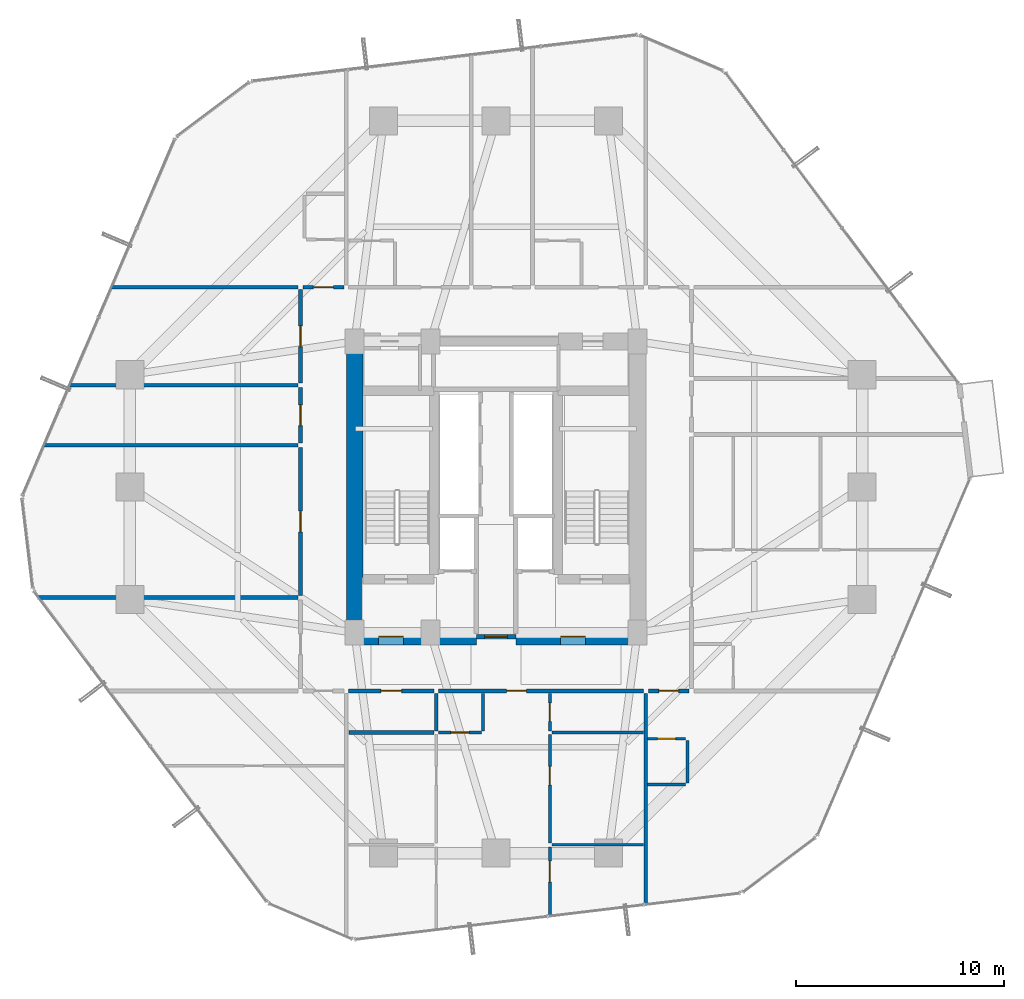
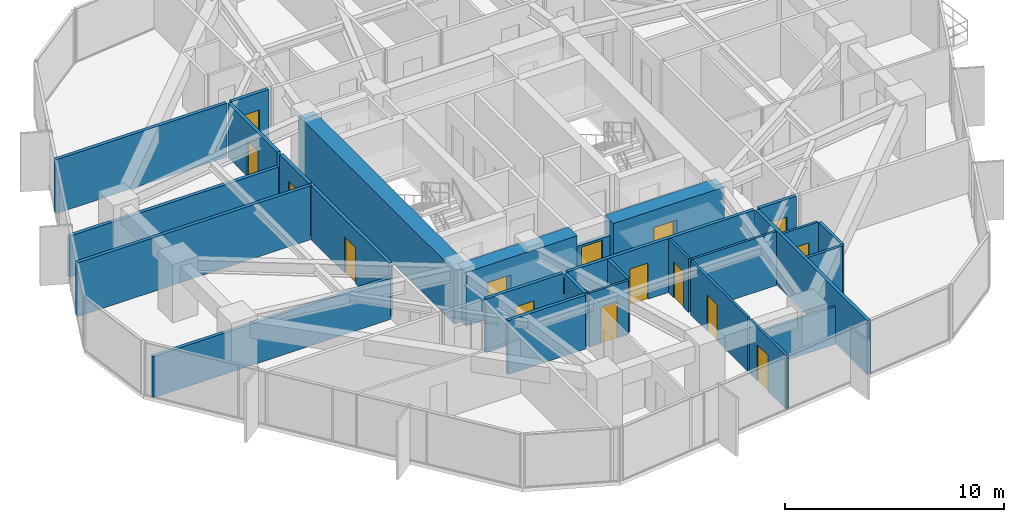
# One storey, part 33 of 37: 28 walls, 15 doors, 15 openings.
"""IFC4 building model written with IfcOpenShell, lengths in metres."""

from ifc_helpers import new_model, si_unit, direction, frame, frame_2d, origin, place, context, subcontext, project, spatial, rectangle, extrude, source, transform, mapped, material, layer, layer_set, type_object, element, fill, save


model = new_model("IFC4")

# Units and contexts
model_context = context("Model", 3, precision=1e-05, world=origin(), true_north=direction((0.0, 1.0)))
body_context = subcontext(model_context, "Body", "Model", "MODEL_VIEW")
ifc_project = project(units=[si_unit("LENGTHUNIT", "METRE"), si_unit("AREAUNIT", "SQUARE_METRE"), si_unit("VOLUMEUNIT", "CUBIC_METRE"), si_unit("PLANEANGLEUNIT", "RADIAN"), si_unit("MASSUNIT", "GRAM", prefix="KILO")], contexts=[model_context])

# Site, building, storey
site_placement = place(None, origin())
site = spatial("IfcSite", under=ifc_project, at=site_placement, CompositionType="ELEMENT")
building_placement = place(site_placement, origin())
building = spatial("IfcBuilding", under=site, at=building_placement, Name="Veraguas Prism Commons", CompositionType="ELEMENT")
storey_placement = place(building_placement, frame((0.0, 0.0, 46.800048828125)))
storey = spatial("IfcBuildingStorey", under=building, at=storey_placement, Name="L12", CompositionType="ELEMENT", Elevation=46.800048828125)

# Wall
ifc_material_1 = material(Name="Concrete C60/75", Category="concrete")
ifc_layer_1 = layer(ifc_material_1, 0.800048828125, Name="Core Outer Shear Wall Lower RC 800", Category="concrete")
ifc_layer_set_1 = layer_set([ifc_layer_1], Name="Concrete C60/75")
wall_type_1 = type_object("IfcWallType", Name="Core Outer Shear Wall Lower RC 800", PredefinedType="SHEAR", material=ifc_layer_set_1)
wall_1_placement = place(storey_placement, frame((17.199951171875, 16.800048828125, 0.0), z_axis=(0.0, 0.0, 1.0), x_axis=(0.0, 1.0, 0.0)))
element("IfcWall", 1, at=wall_1_placement, inside=storey, type_object=wall_type_1, Name="Central Core West Shear Wall L12", PredefinedType="SHEAR", context=body_context, shape_type="SweptSolid", body=[
    extrude(rectangle(XDim=14.199951171875, YDim=0.800048828125, at=frame_2d((7.10009765625, 0.0))), origin(), (0.0, 0.0, 1.0), 3.0),
])

# Wall, opening, door
wall_2_placement = place(storey_placement, frame((17.199951171875, 16.800048828125, 0.0), z_axis=(0.0, 0.0, 1.0), x_axis=(1.0, 0.0, 0.0)))
wall_2 = element("IfcWall", 2, at=wall_2_placement, inside=storey, type_object=wall_type_1, Name="Central Core South-West Shear Wall L12", PredefinedType="SHEAR", context=body_context, shape_type="SweptSolid", body=[
    extrude(rectangle(XDim=5.85009765625, YDim=0.800048828125, at=frame_2d((2.925048828125, 0.0))), origin(), (0.0, 0.0, 1.0), 3.0),
])
opening_1_placement = place(wall_2_placement, frame((1.14990234375, 0.0, 0.0)))
opening_1 = element("IfcOpeningElement", 3, at=opening_1_placement, cuts=wall_2, Name="Opening DR-06", PredefinedType="OPENING", context=body_context, shape_type="SweptSolid", body=[
    extrude(rectangle(XDim=1.199951171875, YDim=2.030029296875, at=frame_2d((0.60009765625, 1.01513671875))), frame((0.0, 0.409912109375, 0.0), z_axis=(0.0, -1.0, 0.0), x_axis=(1.0, 0.0, 0.0)), (0.0, 0.0, 1.0), 0.820068359375),
])
ifc_material_2 = material(Name="Steel fire-rated door assembly", Category="steel")
door_type_1 = type_object("IfcDoorType", Name="Firefighting Lobby Smoke Door 1200x2030", OperationType="NOTDEFINED", PredefinedType="DOOR", material=ifc_material_2)
shared_shape_1 = source(origin(), body_context, "Body", "SweptSolid", [
    extrude(rectangle(XDim=1.199951171875, YDim=2.030029296875, at=frame_2d((0.60009765625, 1.01513671875))), frame((0.0, 0.02490234375, 0.0), z_axis=(0.0, -1.0, 0.0), x_axis=(1.0, 0.0, 0.0)), (0.0, 0.0, 1.0), 0.050048828125),
])
door_1_placement = place(opening_1_placement, origin())
door_1 = element("IfcDoor", 4, at=door_1_placement, inside=storey, type_object=door_type_1, Name="West FF Lobby Door L12", OperationType="SINGLE_SWING_LEFT", OverallHeight=2.030029296875, OverallWidth=1.199951171875, PredefinedType="DOOR", context=body_context, shape_type="MappedRepresentation", body=[
    mapped(shared_shape_1, transform((0.0, 0.0, 0.0), scale=1.0)),
])
fill(opening_1, door_1)

wall_3_placement = place(storey_placement, frame((24.949951171875, 16.800048828125, 0.0), z_axis=(0.0, 0.0, 1.0), x_axis=(1.0, 0.0, 0.0)))
wall_3 = element("IfcWall", 5, at=wall_3_placement, inside=storey, type_object=wall_type_1, Name="Central Core South-East Shear Wall L12", PredefinedType="SHEAR", context=body_context, shape_type="SweptSolid", body=[
    extrude(rectangle(XDim=5.85009765625, YDim=0.800048828125, at=frame_2d((2.925048828125, 0.0))), origin(), (0.0, 0.0, 1.0), 3.0),
])
opening_2_placement = place(wall_3_placement, frame((2.14990234375, 0.0, 0.0)))
opening_2 = element("IfcOpeningElement", 6, at=opening_2_placement, cuts=wall_3, Name="Opening DR-06", PredefinedType="OPENING", context=body_context, shape_type="SweptSolid", body=[
    extrude(rectangle(XDim=1.199951171875, YDim=2.030029296875, at=frame_2d((0.60009765625, 1.01513671875))), frame((0.0, 0.409912109375, 0.0), z_axis=(0.0, -1.0, 0.0), x_axis=(1.0, 0.0, 0.0)), (0.0, 0.0, 1.0), 0.820068359375),
])
door_2_placement = place(opening_2_placement, origin())
door_2 = element("IfcDoor", 7, at=door_2_placement, inside=storey, type_object=door_type_1, Name="East FF Lobby Door L12", OperationType="SINGLE_SWING_LEFT", OverallHeight=2.030029296875, OverallWidth=1.199951171875, PredefinedType="DOOR", context=body_context, shape_type="MappedRepresentation", body=[
    mapped(shared_shape_1, transform((0.0, 0.0, 0.0), scale=1.0)),
])
fill(opening_2, door_2)

# Wall
ifc_material_3 = material(Name="Autoclaved aerated masonry block 10 MPa", Category="masonry")
ifc_layer_2 = layer(ifc_material_3, 0.179931640625, Name="Corridor and Inter-Tenancy Partition 180", Category="masonry")
ifc_layer_set_2 = layer_set([ifc_layer_2], Name="Autoclaved aerated masonry block 10 MPa")
wall_type_2 = type_object("IfcWallType", Name="Corridor and Inter-Tenancy Partition 180", PredefinedType="PARTITIONING", material=ifc_layer_set_2)
wall_4_placement = place(storey_placement, frame((31.199951171875, 14.080078125, 0.0), z_axis=(0.0, 0.0, 1.0), x_axis=(0.0, -1.0, 0.0)))
element("IfcWall", 8, at=wall_4_placement, inside=storey, type_object=wall_type_2, Name="WL-L12-PT002", PredefinedType="PARTITIONING", context=body_context, shape_type="SweptSolid", body=[
    extrude(rectangle(XDim=10.178466796875, YDim=0.179931640625, at=frame_2d((5.08935546875, 0.0))), origin(), (0.0, 0.0, 1.0), 3.0),
])

# Wall, opening, door
wall_5_placement = place(storey_placement, frame((16.909912109375, 14.199951171875, 0.0), z_axis=(0.0, 0.0, 1.0), x_axis=(1.0, 0.0, 0.0)))
wall_5 = element("IfcWall", 9, at=wall_5_placement, inside=storey, type_object=wall_type_2, Name="WL-L12-PT003", PredefinedType="PARTITIONING", context=body_context, shape_type="SweptSolid", body=[
    extrude(rectangle(XDim=4.10009765625, YDim=0.179931640625, at=frame_2d((2.050048828125, 0.0))), origin(), (0.0, 0.0, 1.0), 3.0),
])
opening_3_placement = place(wall_5_placement, frame((1.550048828125, 0.0, 0.0)))
opening_3 = element("IfcOpeningElement", 10, at=opening_3_placement, cuts=wall_5, Name="Opening DR-13", PredefinedType="OPENING", context=body_context, shape_type="SweptSolid", body=[
    extrude(rectangle(XDim=1.0, YDim=2.010009765625, at=frame_2d((0.5, 1.0048828125))), frame((0.0, 0.099853515625, 0.0), z_axis=(0.0, -1.0, 0.0), x_axis=(1.0, 0.0, 0.0)), (0.0, 0.0, 1.0), 0.199951171875),
])
door_type_2 = type_object("IfcDoorType", Name="Core Accessible WC and Clinic Fire Door 1000x2010", OperationType="NOTDEFINED", PredefinedType="DOOR", material=ifc_material_2)
shared_shape_2 = source(origin(), body_context, "Body", "SweptSolid", [
    extrude(rectangle(XDim=1.0, YDim=2.010009765625, at=frame_2d((0.5, 1.0048828125))), frame((0.0, 0.02490234375, 0.0), z_axis=(0.0, -1.0, 0.0), x_axis=(1.0, 0.0, 0.0)), (0.0, 0.0, 1.0), 0.050048828125),
])
door_3_placement = place(opening_3_placement, origin())
door_3 = element("IfcDoor", 11, at=door_3_placement, inside=storey, type_object=door_type_2, Name="Residents Study Alcove 12A Door", OperationType="SINGLE_SWING_RIGHT", OverallHeight=2.010009765625, OverallWidth=1.0, PredefinedType="DOOR", context=body_context, shape_type="MappedRepresentation", body=[
    mapped(shared_shape_2, transform((0.0, 0.0, 0.0), scale=1.0)),
])
fill(opening_3, door_3)

wall_6_placement = place(storey_placement, frame((21.22998046875, 14.199951171875, 0.0), z_axis=(0.0, 0.0, 1.0), x_axis=(1.0, 0.0, 0.0)))
wall_6 = element("IfcWall", 12, at=wall_6_placement, inside=storey, type_object=wall_type_2, Name="WL-L12-PT004", PredefinedType="PARTITIONING", context=body_context, shape_type="SweptSolid", body=[
    extrude(rectangle(XDim=9.860107421875, YDim=0.179931640625, at=frame_2d((4.93017578125, 0.0))), origin(), (0.0, 0.0, 1.0), 3.0),
])
opening_4_placement = place(wall_6_placement, frame((3.27587890625, 0.0, 0.0)))
opening_4 = element("IfcOpeningElement", 13, at=opening_4_placement, cuts=wall_6, Name="Opening DR-01", PredefinedType="OPENING", context=body_context, shape_type="SweptSolid", body=[
    extrude(rectangle(XDim=0.949951171875, YDim=2.02001953125, at=frame_2d((0.47509765625, 1.010009765625))), frame((0.0, 0.099853515625, 0.0), z_axis=(0.0, -1.0, 0.0), x_axis=(1.0, 0.0, 0.0)), (0.0, 0.0, 1.0), 0.199951171875),
])
ifc_material_4 = material(Name="Anodised aluminium EN AW-6063 T6", Category="aluminium")
door_type_3 = type_object("IfcDoorType", Name="Apartment Entrance Fire Door 950x2020", OperationType="NOTDEFINED", PredefinedType="DOOR", material=ifc_material_4)
shared_shape_3 = source(origin(), body_context, "Body", "SweptSolid", [
    extrude(rectangle(XDim=0.949951171875, YDim=2.02001953125, at=frame_2d((0.47509765625, 1.010009765625))), frame((0.0, 0.02490234375, 0.0), z_axis=(0.0, -1.0, 0.0), x_axis=(1.0, 0.0, 0.0)), (0.0, 0.0, 1.0), 0.050048828125),
])
door_4_placement = place(opening_4_placement, origin())
door_4 = element("IfcDoor", 14, at=door_4_placement, inside=storey, type_object=door_type_3, Name="Flat 12A Entrance Door", OperationType="SINGLE_SWING_LEFT", OverallHeight=2.02001953125, OverallWidth=0.949951171875, PredefinedType="DOOR", context=body_context, shape_type="MappedRepresentation", body=[
    mapped(shared_shape_3, transform((0.0, 0.0, 0.0), scale=1.0)),
])
fill(opening_4, door_4)

# Walls
wall_7_placement = place(storey_placement, frame((16.919921875, 12.199951171875, 0.0), z_axis=(0.0, 0.0, 1.0), x_axis=(1.0, 0.0, 0.0)))
element("IfcWall", 15, at=wall_7_placement, inside=storey, type_object=wall_type_2, Name="WL-L12-PT009", PredefinedType="PARTITIONING", context=body_context, shape_type="SweptSolid", body=[
    extrude(rectangle(XDim=4.10009765625, YDim=0.179931640625, at=frame_2d((2.050048828125, 0.0))), origin(), (0.0, 0.0, 1.0), 3.0),
])
wall_8_placement = place(storey_placement, frame((21.1201171875, 14.080078125, 0.0), z_axis=(0.0, 0.0, 1.0), x_axis=(0.0, -1.0, 0.0)))
element("IfcWall", 16, at=wall_8_placement, inside=storey, type_object=wall_type_2, Name="WL-L12-PT010", PredefinedType="PARTITIONING", context=body_context, shape_type="SweptSolid", body=[
    extrude(rectangle(XDim=1.800048828125, YDim=0.179931640625, at=frame_2d((0.89990234375, 0.0))), origin(), (0.0, 0.0, 1.0), 3.0),
])
wall_9_placement = place(storey_placement, frame((14.47998046875, 33.60009765625, 0.0), z_axis=(0.0, 0.0, 1.0), x_axis=(-1.0, 0.0, 0.0)))
element("IfcWall", 17, at=wall_9_placement, inside=storey, type_object=wall_type_2, Name="WL-L12-PT029", PredefinedType="PARTITIONING", context=body_context, shape_type="SweptSolid", body=[
    extrude(rectangle(XDim=9.01318359375, YDim=0.179931640625, at=frame_2d((4.506591796875, 0.0))), origin(), (0.0, 0.0, 1.0), 3.0),
])

# Wall, opening, door
wall_10_placement = place(storey_placement, frame((14.60009765625, 18.797119140625, 0.0), z_axis=(0.0, 0.0, 1.0), x_axis=(0.0, 1.0, 0.0)))
wall_10 = element("IfcWall", 18, at=wall_10_placement, inside=storey, type_object=wall_type_2, Name="WL-L12-PT031", PredefinedType="PARTITIONING", context=body_context, shape_type="SweptSolid", body=[
    extrude(rectangle(XDim=7.100830078125, YDim=0.179931640625, at=frame_2d((3.55029296875, 0.0))), origin(), (0.0, 0.0, 1.0), 3.0),
])
opening_5_placement = place(wall_10_placement, frame((3.050537109375, 0.0, 0.0)))
opening_5 = element("IfcOpeningElement", 19, at=opening_5_placement, cuts=wall_10, Name="Opening DR-13", PredefinedType="OPENING", context=body_context, shape_type="SweptSolid", body=[
    extrude(rectangle(XDim=1.0, YDim=2.010009765625, at=frame_2d((0.5, 1.0048828125))), frame((0.0, 0.099853515625, 0.0), z_axis=(0.0, -1.0, 0.0), x_axis=(1.0, 0.0, 0.0)), (0.0, 0.0, 1.0), 0.199951171875),
])
door_5_placement = place(opening_5_placement, origin())
door_5 = element("IfcDoor", 20, at=door_5_placement, inside=storey, type_object=door_type_2, Name="Co-op Store W Door", OperationType="SINGLE_SWING_RIGHT", OverallHeight=2.010009765625, OverallWidth=1.0, PredefinedType="DOOR", context=body_context, shape_type="MappedRepresentation", body=[
    mapped(shared_shape_2, transform((0.0, 0.0, 0.0), scale=1.0)),
])
fill(opening_5, door_5)

# Walls
wall_11_placement = place(storey_placement, frame((14.47998046875, 18.68701171875, 0.0), z_axis=(0.0, 0.0, 1.0), x_axis=(-1.0, 0.0, 0.0)))
element("IfcWall", 21, at=wall_11_placement, inside=storey, type_object=wall_type_2, Name="WL-L12-PT032", PredefinedType="PARTITIONING", context=body_context, shape_type="SweptSolid", body=[
    extrude(rectangle(XDim=12.511474609375, YDim=0.179931640625, at=frame_2d((6.255859375, 0.0))), origin(), (0.0, 0.0, 1.0), 2.299072265625),
])
wall_12_placement = place(storey_placement, frame((14.47998046875, 26.008056640625, 0.0), z_axis=(0.0, 0.0, 1.0), x_axis=(-1.0, 0.0, 0.0)))
element("IfcWall", 22, at=wall_12_placement, inside=storey, type_object=wall_type_2, Name="WL-L12-PT033", PredefinedType="PARTITIONING", context=body_context, shape_type="SweptSolid", body=[
    extrude(rectangle(XDim=12.257568359375, YDim=0.179931640625, at=frame_2d((6.12890625, 0.0))), origin(), (0.0, 0.0, 1.0), 3.0),
])

# Wall, opening, door
wall_13_placement = place(storey_placement, frame((14.60009765625, 26.117919921875, 0.0), z_axis=(0.0, 0.0, 1.0), x_axis=(0.0, 1.0, 0.0)))
wall_13 = element("IfcWall", 23, at=wall_13_placement, inside=storey, type_object=wall_type_2, Name="WL-L12-PT034", PredefinedType="PARTITIONING", context=body_context, shape_type="SweptSolid", body=[
    extrude(rectangle(XDim=2.6650390625, YDim=0.179931640625, at=frame_2d((1.33251953125, 0.0))), origin(), (0.0, 0.0, 1.0), 3.0),
])
opening_6_placement = place(wall_13_placement, frame((0.83251953125, 0.0, 0.0)))
opening_6 = element("IfcOpeningElement", 24, at=opening_6_placement, cuts=wall_13, Name="Opening DR-13", PredefinedType="OPENING", context=body_context, shape_type="SweptSolid", body=[
    extrude(rectangle(XDim=1.0, YDim=2.010009765625, at=frame_2d((0.5, 1.0048828125))), frame((0.0, 0.099853515625, 0.0), z_axis=(0.0, -1.0, 0.0), x_axis=(1.0, 0.0, 0.0)), (0.0, 0.0, 1.0), 0.199951171875),
])
door_6_placement = place(opening_6_placement, origin())
door_6 = element("IfcDoor", 25, at=door_6_placement, inside=storey, type_object=door_type_2, Name="Shared Laundry Room Door", OperationType="SINGLE_SWING_LEFT", OverallHeight=2.010009765625, OverallWidth=1.0, PredefinedType="DOOR", context=body_context, shape_type="MappedRepresentation", body=[
    mapped(shared_shape_2, transform((0.0, 0.0, 0.0), scale=1.0)),
])
fill(opening_6, door_6)

wall_14_placement = place(storey_placement, frame((14.60009765625, 29.0029296875, 0.0), z_axis=(0.0, 0.0, 1.0), x_axis=(0.0, 1.0, 0.0)))
wall_14 = element("IfcWall", 26, at=wall_14_placement, inside=storey, type_object=wall_type_2, Name="WL-L12-PT035", PredefinedType="PARTITIONING", context=body_context, shape_type="SweptSolid", body=[
    extrude(rectangle(XDim=4.487060546875, YDim=0.179931640625, at=frame_2d((2.24365234375, 0.0))), origin(), (0.0, 0.0, 1.0), 3.0),
])
opening_7_placement = place(wall_14_placement, frame((1.743408203125, 0.0, 0.0)))
opening_7 = element("IfcOpeningElement", 27, at=opening_7_placement, cuts=wall_14, Name="Opening DR-13", PredefinedType="OPENING", context=body_context, shape_type="SweptSolid", body=[
    extrude(rectangle(XDim=1.0, YDim=2.010009765625, at=frame_2d((0.5, 1.0048828125))), frame((0.0, 0.099853515625, 0.0), z_axis=(0.0, -1.0, 0.0), x_axis=(1.0, 0.0, 0.0)), (0.0, 0.0, 1.0), 0.199951171875),
])
door_7_placement = place(opening_7_placement, origin())
door_7 = element("IfcDoor", 28, at=door_7_placement, inside=storey, type_object=door_type_2, Name="Co-op Store W Door", OperationType="SINGLE_SWING_RIGHT", OverallHeight=2.010009765625, OverallWidth=1.0, PredefinedType="DOOR", context=body_context, shape_type="MappedRepresentation", body=[
    mapped(shared_shape_2, transform((0.0, 0.0, 0.0), scale=1.0)),
])
fill(opening_7, door_7)

# Wall
wall_15_placement = place(storey_placement, frame((14.47998046875, 28.89306640625, 0.0), z_axis=(0.0, 0.0, 1.0), x_axis=(-1.0, 0.0, 0.0)))
element("IfcWall", 29, at=wall_15_placement, inside=storey, type_object=wall_type_2, Name="WL-L12-PT036", PredefinedType="PARTITIONING", context=body_context, shape_type="SweptSolid", body=[
    extrude(rectangle(XDim=11.024658203125, YDim=0.179931640625, at=frame_2d((5.51220703125, 0.0))), origin(), (0.0, 0.0, 1.0), 2.299072265625),
])

# Wall, opening, door
wall_16_placement = place(storey_placement, frame((31.320068359375, 14.199951171875, 0.0), z_axis=(0.0, 0.0, 1.0), x_axis=(1.0, 0.0, 0.0)))
wall_16 = element("IfcWall", 30, at=wall_16_placement, inside=storey, type_object=wall_type_2, Name="WL-L12-PT053", PredefinedType="PARTITIONING", context=body_context, shape_type="SweptSolid", body=[
    extrude(rectangle(XDim=1.9599609375, YDim=0.179931640625, at=frame_2d((0.97998046875, 0.0))), origin(), (0.0, 0.0, 1.0), 3.0),
])
opening_8_placement = place(wall_16_placement, frame((0.5048828125, 0.0, 0.0)))
opening_8 = element("IfcOpeningElement", 31, at=opening_8_placement, cuts=wall_16, Name="Opening DR-01", PredefinedType="OPENING", context=body_context, shape_type="SweptSolid", body=[
    extrude(rectangle(XDim=0.949951171875, YDim=2.02001953125, at=frame_2d((0.47509765625, 1.010009765625))), frame((0.0, 0.099853515625, 0.0), z_axis=(0.0, -1.0, 0.0), x_axis=(1.0, 0.0, 0.0)), (0.0, 0.0, 1.0), 0.199951171875),
])
door_8_placement = place(opening_8_placement, origin())
door_8 = element("IfcDoor", 32, at=door_8_placement, inside=storey, type_object=door_type_3, Name="Studio 12E Entrance Door", OperationType="SINGLE_SWING_RIGHT", OverallHeight=2.02001953125, OverallWidth=0.949951171875, PredefinedType="DOOR", context=body_context, shape_type="MappedRepresentation", body=[
    mapped(shared_shape_3, transform((0.0, 0.0, 0.0), scale=1.0)),
])
fill(opening_8, door_8)

wall_17_placement = place(storey_placement, frame((14.719970703125, 33.60009765625, 0.0), z_axis=(0.0, 0.0, 1.0), x_axis=(1.0, 0.0, 0.0)))
wall_17 = element("IfcWall", 33, at=wall_17_placement, inside=storey, type_object=wall_type_2, Name="WL-L12-PT057", PredefinedType="PARTITIONING", context=body_context, shape_type="SweptSolid", body=[
    extrude(rectangle(XDim=1.9599609375, YDim=0.179931640625, at=frame_2d((0.97998046875, 0.0))), origin(), (0.0, 0.0, 1.0), 3.0),
])
opening_9_placement = place(wall_17_placement, frame((0.5048828125, 0.0, 0.0)))
opening_9 = element("IfcOpeningElement", 34, at=opening_9_placement, cuts=wall_17, Name="Opening DR-01", PredefinedType="OPENING", context=body_context, shape_type="SweptSolid", body=[
    extrude(rectangle(XDim=0.949951171875, YDim=2.02001953125, at=frame_2d((0.47509765625, 1.010009765625))), frame((0.0, 0.099853515625, 0.0), z_axis=(0.0, -1.0, 0.0), x_axis=(1.0, 0.0, 0.0)), (0.0, 0.0, 1.0), 0.199951171875),
])
door_9_placement = place(opening_9_placement, origin())
door_9 = element("IfcDoor", 35, at=door_9_placement, inside=storey, type_object=door_type_3, Name="Studio 12F Entrance Door", OperationType="SINGLE_SWING_RIGHT", OverallHeight=2.02001953125, OverallWidth=0.949951171875, PredefinedType="DOOR", context=body_context, shape_type="MappedRepresentation", body=[
    mapped(shared_shape_3, transform((0.0, 0.0, 0.0), scale=1.0)),
])
fill(opening_9, door_9)

# Wall
ifc_material_5 = material(Name="Lightweight acoustic gypsum board")
ifc_layer_3 = layer(ifc_material_5, 0.125, Name="Internal Apartment Room Partition 125")
ifc_layer_set_3 = layer_set([ifc_layer_3], Name="Lightweight acoustic gypsum board")
wall_type_3 = type_object("IfcWallType", Name="Internal Apartment Room Partition 125", PredefinedType="PARTITIONING", material=ifc_layer_set_3)
wall_18_placement = place(storey_placement, frame((26.69189453125, 6.800048828125, 0.0), z_axis=(0.0, 0.0, 1.0), x_axis=(1.0, 0.0, 0.0)))
element("IfcWall", 36, at=wall_18_placement, inside=storey, type_object=wall_type_3, Name="WL-L12-PT007", PredefinedType="PARTITIONING", context=body_context, shape_type="SweptSolid", body=[
    extrude(rectangle(XDim=4.38818359375, YDim=0.125, at=frame_2d((2.194091796875, 0.0))), origin(), (0.0, 0.0, 1.0), 2.099853515625),
])

# Wall, opening, door
wall_19_placement = place(storey_placement, frame((26.592041015625, 6.699951171875, 0.0), z_axis=(0.0, 0.0, 1.0), x_axis=(0.0, -1.0, 0.0)))
wall_19 = element("IfcWall", 37, at=wall_19_placement, inside=storey, type_object=wall_type_3, Name="WL-L12-PT008", PredefinedType="PARTITIONING", context=body_context, shape_type="SweptSolid", body=[
    extrude(rectangle(XDim=3.352783203125, YDim=0.125, at=frame_2d((1.67626953125, 0.0))), origin(), (0.0, 0.0, 1.0), 3.0),
])
opening_10_placement = place(wall_19_placement, frame((0.688232421875, 0.0, 0.0)))
opening_10 = element("IfcOpeningElement", 38, at=opening_10_placement, cuts=wall_19, Name="Opening DR-04", PredefinedType="OPENING", context=body_context, shape_type="SweptSolid", body=[
    extrude(rectangle(XDim=1.0, YDim=2.010009765625, at=frame_2d((0.5, 1.0048828125))), frame((0.0, 0.072509765625, 0.0), z_axis=(0.0, -1.0, 0.0), x_axis=(1.0, 0.0, 0.0)), (0.0, 0.0, 1.0), 0.14501953125),
])
door_type_4 = type_object("IfcDoorType", Name="Accessible WC and Clinic Exam Door 1000x2010", OperationType="NOTDEFINED", PredefinedType="DOOR", material=ifc_material_4)
door_10_placement = place(opening_10_placement, origin())
door_10 = element("IfcDoor", 39, at=door_10_placement, inside=storey, type_object=door_type_4, Name="Flat 12A Study Door", OperationType="SINGLE_SWING_LEFT", OverallHeight=2.010009765625, OverallWidth=1.0, PredefinedType="DOOR", context=body_context, shape_type="MappedRepresentation", body=[
    mapped(shared_shape_2, transform((0.0, 0.0, 0.0), scale=1.0)),
])
fill(opening_10, door_10)

wall_20_placement = place(storey_placement, frame((21.239990234375, 12.199951171875, 0.0), z_axis=(0.0, 0.0, 1.0), x_axis=(1.0, 0.0, 0.0)))
wall_20 = element("IfcWall", 40, at=wall_20_placement, inside=storey, type_object=wall_type_3, Name="WL-L12-PT013", PredefinedType="PARTITIONING", context=body_context, shape_type="SweptSolid", body=[
    extrude(rectangle(XDim=2.050048828125, YDim=0.125, at=frame_2d((1.02490234375, 0.0))), origin(), (0.0, 0.0, 1.0), 3.0),
])
opening_11_placement = place(wall_20_placement, frame((0.594970703125, 0.0, 0.0)))
opening_11 = element("IfcOpeningElement", 41, at=opening_11_placement, cuts=wall_20, Name="Opening DR-03", PredefinedType="OPENING", context=body_context, shape_type="SweptSolid", body=[
    extrude(rectangle(XDim=0.860107421875, YDim=2.010009765625, at=frame_2d((0.43017578125, 1.0048828125))), frame((0.0, 0.072509765625, 0.0), z_axis=(0.0, -1.0, 0.0), x_axis=(1.0, 0.0, 0.0)), (0.0, 0.0, 1.0), 0.14501953125),
])
ifc_material_6 = material(Name="Timber moisture-resistant leaf", Category="wood")
door_type_5 = type_object("IfcDoorType", Name="Internal Bathroom Door 860x2010", OperationType="NOTDEFINED", PredefinedType="DOOR", material=ifc_material_6)
shared_shape_4 = source(origin(), body_context, "Body", "SweptSolid", [
    extrude(rectangle(XDim=0.860107421875, YDim=2.010009765625, at=frame_2d((0.43017578125, 1.0048828125))), frame((0.0, 0.02490234375, 0.0), z_axis=(0.0, -1.0, 0.0), x_axis=(1.0, 0.0, 0.0)), (0.0, 0.0, 1.0), 0.050048828125),
])
door_11_placement = place(opening_11_placement, origin())
door_11 = element("IfcDoor", 42, at=door_11_placement, inside=storey, type_object=door_type_5, Name="Flat 12A Bathroom Door", OperationType="SINGLE_SWING_LEFT", OverallHeight=2.010009765625, OverallWidth=0.860107421875, PredefinedType="DOOR", context=body_context, shape_type="MappedRepresentation", body=[
    mapped(shared_shape_4, transform((0.0, 0.0, 0.0), scale=1.0)),
])
fill(opening_11, door_11)

wall_21_placement = place(storey_placement, frame((26.592041015625, 14.080078125, 0.0), z_axis=(0.0, 0.0, 1.0), x_axis=(0.0, -1.0, 0.0)))
wall_21 = element("IfcWall", 43, at=wall_21_placement, inside=storey, type_object=wall_type_3, Name="WL-L12-PT014", PredefinedType="PARTITIONING", context=body_context, shape_type="SweptSolid", body=[
    extrude(rectangle(XDim=1.800048828125, YDim=0.125, at=frame_2d((0.89990234375, 0.0))), origin(), (0.0, 0.0, 1.0), 3.0),
])
opening_12_placement = place(wall_21_placement, frame((0.449951171875, 0.0, 0.0)))
opening_12 = element("IfcOpeningElement", 44, at=opening_12_placement, cuts=wall_21, Name="Opening DR-02", PredefinedType="OPENING", context=body_context, shape_type="SweptSolid", body=[
    extrude(rectangle(XDim=0.89990234375, YDim=2.010009765625, at=frame_2d((0.449951171875, 1.0048828125))), frame((0.0, 0.072509765625, 0.0), z_axis=(0.0, -1.0, 0.0), x_axis=(1.0, 0.0, 0.0)), (0.0, 0.0, 1.0), 0.14501953125),
])
ifc_material_7 = material(Name="Timber solid core hardwood", Category="wood")
door_type_6 = type_object("IfcDoorType", Name="Internal Habitable Room Door 900x2010", OperationType="NOTDEFINED", PredefinedType="DOOR", material=ifc_material_7)
shared_shape_5 = source(origin(), body_context, "Body", "SweptSolid", [
    extrude(rectangle(XDim=0.89990234375, YDim=2.010009765625, at=frame_2d((0.449951171875, 1.0048828125))), frame((0.0, 0.02490234375, 0.0), z_axis=(0.0, -1.0, 0.0), x_axis=(1.0, 0.0, 0.0)), (0.0, 0.0, 1.0), 0.050048828125),
])
door_12_placement = place(opening_12_placement, origin())
door_12 = element("IfcDoor", 45, at=door_12_placement, inside=storey, type_object=door_type_6, Name="Flat 12A Kitchen Door", OperationType="SINGLE_SWING_RIGHT", OverallHeight=2.010009765625, OverallWidth=0.89990234375, PredefinedType="DOOR", context=body_context, shape_type="MappedRepresentation", body=[
    mapped(shared_shape_5, transform((0.0, 0.0, 0.0), scale=1.0)),
])
fill(opening_12, door_12)

# Wall
wall_22_placement = place(storey_placement, frame((26.69189453125, 12.199951171875, 0.0), z_axis=(0.0, 0.0, 1.0), x_axis=(1.0, 0.0, 0.0)))
element("IfcWall", 46, at=wall_22_placement, inside=storey, type_object=wall_type_3, Name="WL-L12-PT015", PredefinedType="PARTITIONING", context=body_context, shape_type="SweptSolid", body=[
    extrude(rectangle(XDim=4.38818359375, YDim=0.125, at=frame_2d((2.194091796875, 0.0))), origin(), (0.0, 0.0, 1.0), 3.0),
])

# Wall, opening, door
wall_23_placement = place(storey_placement, frame((26.592041015625, 12.10009765625, 0.0), z_axis=(0.0, 0.0, 1.0), x_axis=(0.0, -1.0, 0.0)))
wall_23 = element("IfcWall", 47, at=wall_23_placement, inside=storey, type_object=wall_type_3, Name="WL-L12-PT016", PredefinedType="PARTITIONING", context=body_context, shape_type="SweptSolid", body=[
    extrude(rectangle(XDim=5.22021484375, YDim=0.125, at=frame_2d((2.610107421875, 0.0))), origin(), (0.0, 0.0, 1.0), 3.0),
])
opening_13_placement = place(wall_23_placement, frame((1.53271484375, 0.0, 0.0)))
opening_13 = element("IfcOpeningElement", 48, at=opening_13_placement, cuts=wall_23, Name="Opening DR-02", PredefinedType="OPENING", context=body_context, shape_type="SweptSolid", body=[
    extrude(rectangle(XDim=0.89990234375, YDim=2.010009765625, at=frame_2d((0.449951171875, 1.0048828125))), frame((0.0, 0.072509765625, 0.0), z_axis=(0.0, -1.0, 0.0), x_axis=(1.0, 0.0, 0.0)), (0.0, 0.0, 1.0), 0.14501953125),
])
door_13_placement = place(opening_13_placement, origin())
door_13 = element("IfcDoor", 49, at=door_13_placement, inside=storey, type_object=door_type_6, Name="Flat 12A Bedroom 1 Door", OperationType="SINGLE_SWING_LEFT", OverallHeight=2.010009765625, OverallWidth=0.89990234375, PredefinedType="DOOR", context=body_context, shape_type="MappedRepresentation", body=[
    mapped(shared_shape_5, transform((0.0, 0.0, 0.0), scale=1.0)),
])
fill(opening_13, door_13)

wall_24_placement = place(storey_placement, frame((31.280029296875, 11.89990234375, 0.0), z_axis=(0.0, 0.0, 1.0), x_axis=(1.0, 0.0, 0.0)))
wall_24 = element("IfcWall", 50, at=wall_24_placement, inside=storey, type_object=wall_type_3, Name="WL-L12-PT054", PredefinedType="PARTITIONING", context=body_context, shape_type="SweptSolid", body=[
    extrude(rectangle(XDim=1.840087890625, YDim=0.125, at=frame_2d((0.919921875, 0.0))), origin(), (0.0, 0.0, 1.0), 3.0),
])
opening_14_placement = place(wall_24_placement, frame((0.489990234375, 0.0, 0.0)))
opening_14 = element("IfcOpeningElement", 51, at=opening_14_placement, cuts=wall_24, Name="Opening DR-03", PredefinedType="OPENING", context=body_context, shape_type="SweptSolid", body=[
    extrude(rectangle(XDim=0.860107421875, YDim=2.010009765625, at=frame_2d((0.43017578125, 1.0048828125))), frame((0.0, 0.072509765625, 0.0), z_axis=(0.0, -1.0, 0.0), x_axis=(1.0, 0.0, 0.0)), (0.0, 0.0, 1.0), 0.14501953125),
])
door_14_placement = place(opening_14_placement, origin())
door_14 = element("IfcDoor", 52, at=door_14_placement, inside=storey, type_object=door_type_5, Name="Studio 12E Bathroom Door", OperationType="SINGLE_SWING_LEFT", OverallHeight=2.010009765625, OverallWidth=0.860107421875, PredefinedType="DOOR", context=body_context, shape_type="MappedRepresentation", body=[
    mapped(shared_shape_4, transform((0.0, 0.0, 0.0), scale=1.0)),
])
fill(opening_14, door_14)

ifc_layer_4 = layer(ifc_material_3, 0.199951171875, Name="Rated Shaft and Lobby Block Wall 200", Category="masonry")
ifc_layer_set_4 = layer_set([ifc_layer_4], Name="Autoclaved aerated masonry block 10 MPa")
wall_type_4 = type_object("IfcWallType", Name="Rated Shaft and Lobby Block Wall 200", PredefinedType="SOLIDWALL", material=ifc_layer_set_4)
wall_25_placement = place(storey_placement, frame((23.050048828125, 16.800048828125, 0.0), z_axis=(0.0, 0.0, 1.0), x_axis=(1.0, 0.0, 0.0)))
wall_25 = element("IfcWall", 53, at=wall_25_placement, inside=storey, type_object=wall_type_4, Name="Central Core Lobby Entrance Wall L12", PredefinedType="SOLIDWALL", context=body_context, shape_type="SweptSolid", body=[
    extrude(rectangle(XDim=1.89990234375, YDim=0.199951171875, at=frame_2d((0.949951171875, 0.0))), origin(), (0.0, 0.0, 1.0), 2.14990234375),
])
opening_15_placement = place(wall_25_placement, frame((0.39990234375, 0.0, 0.0)))
opening_15 = element("IfcOpeningElement", 54, at=opening_15_placement, cuts=wall_25, Name="Opening DR-05", PredefinedType="OPENING", context=body_context, shape_type="SweptSolid", body=[
    extrude(rectangle(XDim=1.10009765625, YDim=2.030029296875, at=frame_2d((0.550048828125, 1.01513671875))), frame((0.0, 0.10986328125, 0.0), z_axis=(0.0, -1.0, 0.0), x_axis=(1.0, 0.0, 0.0)), (0.0, 0.0, 1.0), 0.219970703125),
])
door_type_7 = type_object("IfcDoorType", Name="Protected Stair and Refuge Fire Door 1100x2030", OperationType="NOTDEFINED", PredefinedType="DOOR", material=ifc_material_2)
shared_shape_6 = source(origin(), body_context, "Body", "SweptSolid", [
    extrude(rectangle(XDim=1.10009765625, YDim=2.030029296875, at=frame_2d((0.550048828125, 1.01513671875))), frame((0.0, 0.02490234375, 0.0), z_axis=(0.0, -1.0, 0.0), x_axis=(1.0, 0.0, 0.0)), (0.0, 0.0, 1.0), 0.050048828125),
])
door_15_placement = place(opening_15_placement, origin())
door_15 = element("IfcDoor", 55, at=door_15_placement, inside=storey, type_object=door_type_7, Name="Central Lobby Door L12", OperationType="SINGLE_SWING_RIGHT", OverallHeight=2.030029296875, OverallWidth=1.10009765625, PredefinedType="DOOR", context=body_context, shape_type="MappedRepresentation", body=[
    mapped(shared_shape_6, transform((0.0, 0.0, 0.0), scale=1.0)),
])
fill(opening_15, door_15)

# Walls
ifc_layer_5 = layer(ifc_material_5, 0.14990234375, Name="Wet Room and Clinic Acoustic Partition 150")
ifc_layer_set_5 = layer_set([ifc_layer_5], Name="Lightweight acoustic gypsum board")
wall_type_5 = type_object("IfcWallType", Name="Wet Room and Clinic Acoustic Partition 150", PredefinedType="PARTITIONING", material=ifc_layer_set_5)
wall_26_placement = place(storey_placement, frame((23.3701171875, 14.080078125, 0.0), z_axis=(0.0, 0.0, 1.0), x_axis=(0.0, -1.0, 0.0)))
element("IfcWall", 56, at=wall_26_placement, inside=storey, type_object=wall_type_5, Name="WL-L12-PT012", PredefinedType="PARTITIONING", context=body_context, shape_type="SweptSolid", body=[
    extrude(rectangle(XDim=1.800048828125, YDim=0.14990234375, at=frame_2d((0.89990234375, 0.0))), origin(), (0.0, 0.0, 1.0), 3.0),
])
wall_27_placement = place(storey_placement, frame((31.280029296875, 9.699951171875, 0.0), z_axis=(0.0, 0.0, 1.0), x_axis=(1.0, 0.0, 0.0)))
element("IfcWall", 57, at=wall_27_placement, inside=storey, type_object=wall_type_5, Name="WL-L12-PT055", PredefinedType="PARTITIONING", context=body_context, shape_type="SweptSolid", body=[
    extrude(rectangle(XDim=1.840087890625, YDim=0.14990234375, at=frame_2d((0.919921875, 0.0))), origin(), (0.0, 0.0, 1.0), 3.0),
])
wall_28_placement = place(storey_placement, frame((33.199951171875, 9.780029296875, 0.0), z_axis=(0.0, 0.0, 1.0), x_axis=(0.0, 1.0, 0.0)))
element("IfcWall", 58, at=wall_28_placement, inside=storey, type_object=wall_type_5, Name="WL-L12-PT056", PredefinedType="PARTITIONING", context=body_context, shape_type="SweptSolid", body=[
    extrude(rectangle(XDim=2.0400390625, YDim=0.14990234375, at=frame_2d((1.02001953125, 0.0))), origin(), (0.0, 0.0, 1.0), 3.0),
])

save(model, "model.ifc")
